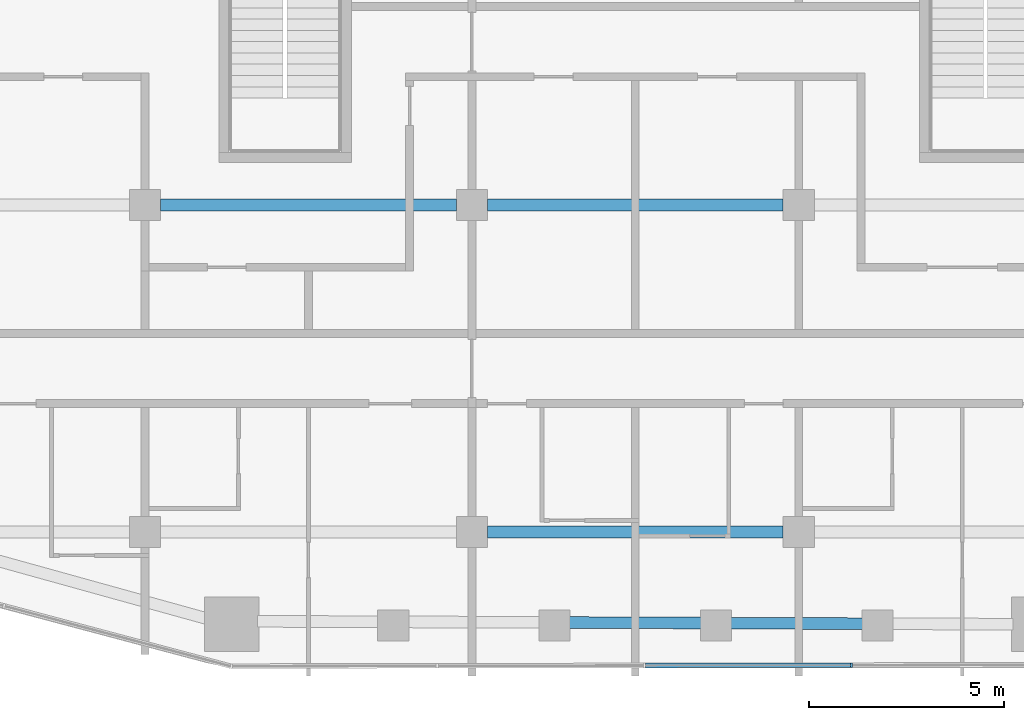
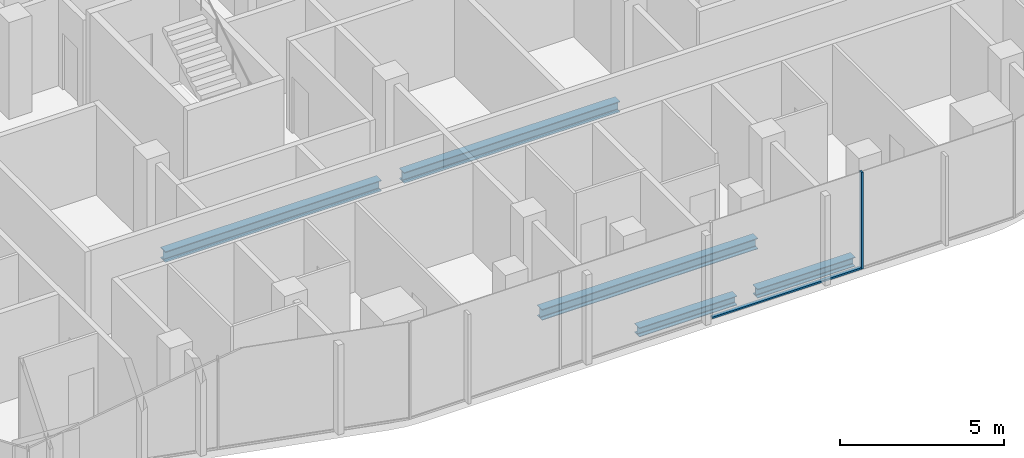
# One storey, part 3 of 22: 5 beams, 2 members, 1 element without a shape of its own.
"""IFC4 building model written with IfcOpenShell, lengths in metres."""

from ifc_helpers import new_model, si_unit, direction, frame, origin, origin_2d, place, context, subcontext, project, spatial, rectangle, i_section, extrude, material, layer, layer_set, material_profile, profile_set, type_object, element, aggregate, save


model = new_model("IFC4")

# Units and contexts
model_context = context("Model", 3, precision=1e-05, world=origin(), true_north=direction((0.0, 1.0)))
body_context = subcontext(model_context, "Body", "Model", "MODEL_VIEW")
ifc_project = project(units=[si_unit("LENGTHUNIT", "METRE"), si_unit("AREAUNIT", "SQUARE_METRE"), si_unit("VOLUMEUNIT", "CUBIC_METRE"), si_unit("PLANEANGLEUNIT", "RADIAN"), si_unit("MASSUNIT", "GRAM", prefix="KILO")], contexts=[model_context])

# Site, building, storey
site_placement = place(None, origin())
site = spatial("IfcSite", under=ifc_project, at=site_placement, CompositionType="ELEMENT")
building_placement = place(site_placement, origin())
building = spatial("IfcBuilding", under=site, at=building_placement, Name="Marenta Gate Hotel Tower", CompositionType="ELEMENT")
storey_placement = place(building_placement, frame((0.0, 0.0, 238.10009765625)))
storey = spatial("IfcBuildingStorey", under=building, at=storey_placement, Name="L56", CompositionType="ELEMENT", Elevation=238.10009765625)

# Beams
ifc_material_1 = material(Name="Steel S355", Category="steel")
ifc_material_profile_1 = material_profile(ifc_material_1, i_section(OverallWidth=0.300048828125, OverallDepth=0.340087890625, WebThickness=0.011962890625, FlangeThickness=0.021484375, FilletRadius=0.027099609375, at=origin_2d()), Name="HEB 340")
ifc_profile_set_1 = profile_set([ifc_material_profile_1], Name="Steel S355")
beam_type_1 = type_object("IfcBeamType", Name="Edge beam HEB 340", PredefinedType="SPANDREL", material=ifc_profile_set_1)
for number, where, z_axis, x_axis, name in (
    (1, (5.860107421875, -27.555419921875, -0.43017578125), (-0.999992599416, 0.003847221457, 0.0), (-0.003847221457, -0.999992599416, 0.0), "L56-EB-33"),
    (2, (1.71337890625, -27.539306640625, -0.43017578125), (-0.999992599416, 0.003847221457, 0.0), (-0.003847221457, -0.999992599416, 0.0), "L56-EB-34"),
):
    element("IfcBeam", number, at=place(storey_placement, frame(where, z_axis=z_axis, x_axis=x_axis)), inside=storey, type_object=beam_type_1, Name=name, PredefinedType="SPANDREL", context=body_context, shape_type="SweptSolid", body=[
        extrude(i_section(OverallWidth=0.300048828125, OverallDepth=0.340087890625, WebThickness=0.011962890625, FlangeThickness=0.021484375, FilletRadius=0.027099609375, at=origin_2d()), origin(), (0.0, 0.0, 1.0), 3.4267578125),
    ])
ifc_material_2 = material(Name="Steel S355", Category="steel")
ifc_material_profile_2 = material_profile(ifc_material_2, i_section(OverallWidth=0.300048828125, OverallDepth=0.39990234375, WebThickness=0.013427734375, FlangeThickness=0.02392578125, FilletRadius=0.027099609375, at=origin_2d()), Name="HEB 400")
ifc_profile_set_2 = profile_set([ifc_material_profile_2], Name="Steel S355")
beam_type_2 = type_object("IfcBeamType", Name="Girder HEB 400", PredefinedType="BEAM", material=ifc_profile_set_2)
beam_1_placement = place(storey_placement, frame((-3.800048828125, -25.199951171875, -0.460205078125), z_axis=(1.0, 0.0, 0.0), x_axis=(0.0, 1.0, 0.0)))
element("IfcBeam", 3, at=beam_1_placement, inside=storey, type_object=beam_type_2, Name="L56-GD-3", PredefinedType="BEAM", context=body_context, shape_type="SweptSolid", body=[
    extrude(i_section(OverallWidth=0.300048828125, OverallDepth=0.39990234375, WebThickness=0.013427734375, FlangeThickness=0.02392578125, FilletRadius=0.027099609375, at=origin_2d()), origin(), (0.0, 0.0, 1.0), 7.60009765625),
])
beam_2_placement = place(storey_placement, frame((-12.199951171875, -16.800048828125, -0.460205078125), z_axis=(1.0, 0.0, 0.0), x_axis=(0.0, 1.0, 0.0)))
element("IfcBeam", 4, at=beam_2_placement, inside=storey, type_object=beam_type_2, Name="L56-GD-8", PredefinedType="BEAM", context=body_context, shape_type="SweptSolid", body=[
    extrude(i_section(OverallWidth=0.300048828125, OverallDepth=0.39990234375, WebThickness=0.013427734375, FlangeThickness=0.02392578125, FilletRadius=0.027099609375, at=origin_2d()), origin(), (0.0, 0.0, 1.0), 7.599853515625),
])
beam_3_placement = place(storey_placement, frame((-3.800048828125, -16.800048828125, -0.460205078125), z_axis=(1.0, 0.0, 0.0), x_axis=(0.0, 1.0, 0.0)))
element("IfcBeam", 5, at=beam_3_placement, inside=storey, type_object=beam_type_2, Name="L56-GD-9", PredefinedType="BEAM", context=body_context, shape_type="SweptSolid", body=[
    extrude(i_section(OverallWidth=0.300048828125, OverallDepth=0.39990234375, WebThickness=0.013427734375, FlangeThickness=0.02392578125, FilletRadius=0.027099609375, at=origin_2d()), origin(), (0.0, 0.0, 1.0), 7.60009765625),
])

# Curtain wall, members
ifc_material_3 = material(Name="Tinted insulated glass in bronze anodised frame", Category="glass")
ifc_layer = layer(ifc_material_3, 0.1201171875)
ifc_layer_set = layer_set([ifc_layer], Name="Tinted insulated glass in bronze anodised frame")
curtain_wall_type = type_object("IfcCurtainWallType", Name="Tower unitised curtain wall CW1", PredefinedType="NOTDEFINED", material=ifc_layer_set)
curtain_wall_placement = place(storey_placement, origin())
curtain_wall = element("IfcCurtainWall", 6, at=curtain_wall_placement, inside=storey, type_object=curtain_wall_type, Name="CW1 run G07", PredefinedType="NOTDEFINED")
ifc_material_4 = material(Name="Bronze anodised aluminium", Category="aluminium")
ifc_material_profile_3 = material_profile(ifc_material_4, rectangle(XDim=0.1201171875, YDim=0.06005859375, at=origin_2d()), Name="Mullion CW1 60x120 bronze anodised aluminium")
ifc_profile_set_3 = profile_set([ifc_material_profile_3], Name="Bronze anodised aluminium")
member_type_1 = type_object("IfcMemberType", Name="Mullion CW1 60x120 bronze anodised aluminium", PredefinedType="MULLION", material=ifc_profile_set_3)
member_1_placement = place(storey_placement, frame((5.5537109375, -28.621337890625, 0.0), z_axis=(0.0, 0.0, 1.0), x_axis=(-0.001644757804, 0.999998647385, 0.0)))
member_1 = element("IfcMember", 7, at=member_1_placement, type_object=member_type_1, Name="CW1 mullion 4", PredefinedType="MULLION", context=body_context, shape_type="SweptSolid", body=[
    extrude(rectangle(XDim=0.1201171875, YDim=0.06005859375, at=origin_2d()), origin(), (0.0, 0.0, 1.0), 3.599853515625),
])
ifc_material_5 = material(Name="Bronze anodised aluminium", Category="aluminium")
ifc_material_profile_4 = material_profile(ifc_material_5, rectangle(XDim=0.1201171875, YDim=0.06005859375, at=origin_2d()), Name="Transom CW1 60x120 bronze anodised aluminium")
ifc_profile_set_4 = profile_set([ifc_material_profile_4], Name="Bronze anodised aluminium")
member_type_2 = type_object("IfcMemberType", Name="Transom CW1 60x120 bronze anodised aluminium", PredefinedType="USERDEFINED", material=ifc_profile_set_4)
member_2_placement = place(storey_placement, frame((0.263916015625, -28.6298828125, 0.02978515625), z_axis=(0.999998680369, 0.001624580106, 0.0), x_axis=(-0.001624580106, 0.999998680369, 0.0)))
member_2 = element("IfcMember", 8, at=member_2_placement, type_object=member_type_2, Name="CW1 transom 3.1", ObjectType="TRANSOM", PredefinedType="USERDEFINED", context=body_context, shape_type="SweptSolid", body=[
    extrude(rectangle(XDim=0.1201171875, YDim=0.06005859375, at=origin_2d()), origin(), (0.0, 0.0, 1.0), 5.259765625),
])
aggregate(curtain_wall, [member_1, member_2])

save(model, "model.ifc")
